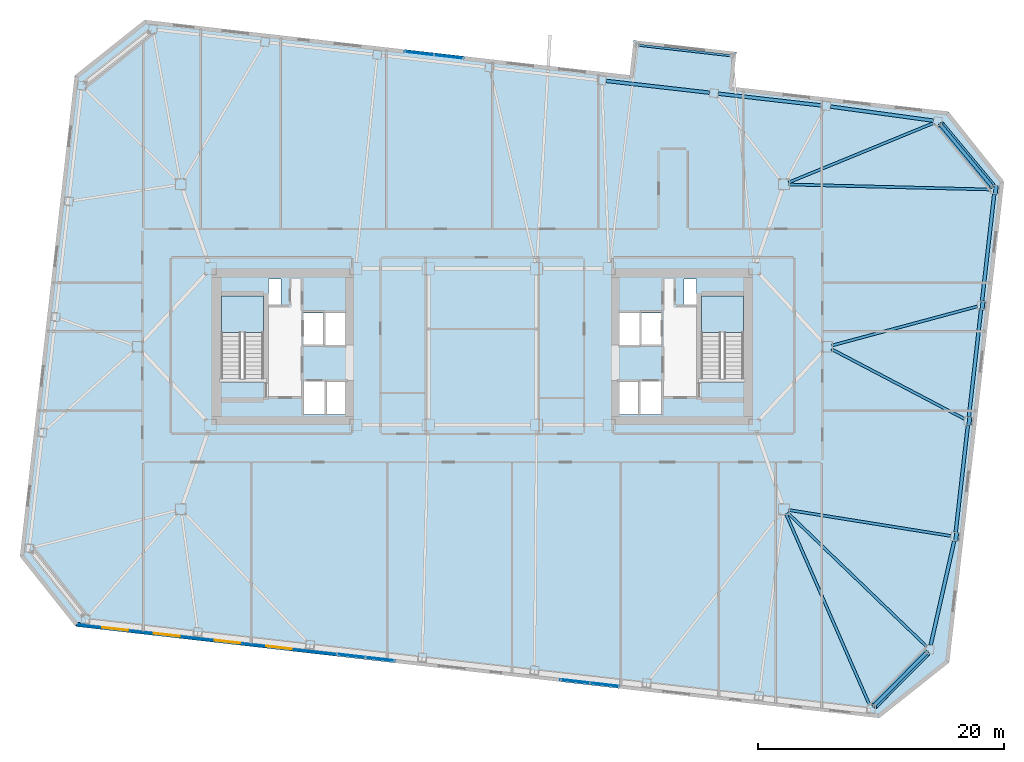
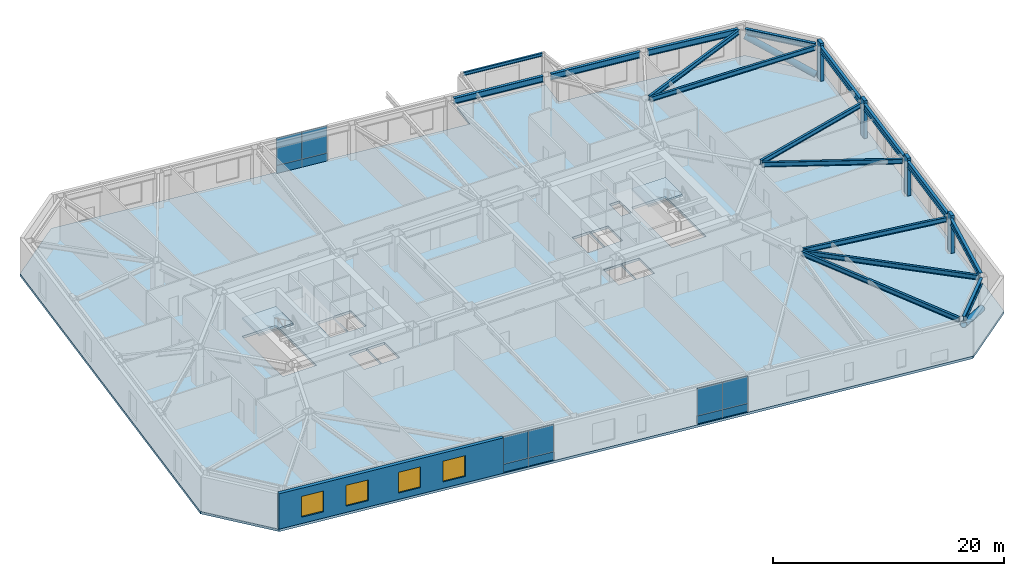
# One storey, part 11 of 21: 17 beams, 12 plates, 6 members, 4 windows, 3 slabs, 1 wall, 4 openings, 5 elements without a shape of their own.
"""IFC4 building model written with IfcOpenShell, lengths in metres."""

from ifc_helpers import new_model, si_unit, direction, frame, frame_2d, origin, origin_2d, place, context, subcontext, project, spatial, polyline, rectangle, hollow_circle, i_section, outline, extrude, material, layer, layer_set, material_profile, profile_set, type_object, element, fill, aggregate, save


model = new_model("IFC4")

# Units and contexts
model_context = context("Model", 3, precision=1e-05, world=origin(), true_north=direction((0.0, 1.0)))
body_context = subcontext(model_context, "Body", "Model", "MODEL_VIEW")
ifc_project = project(units=[si_unit("LENGTHUNIT", "METRE"), si_unit("AREAUNIT", "SQUARE_METRE"), si_unit("VOLUMEUNIT", "CUBIC_METRE"), si_unit("PLANEANGLEUNIT", "RADIAN"), si_unit("MASSUNIT", "GRAM", prefix="KILO")], contexts=[model_context])

# Site, building, storey
site_placement = place(None, origin())
site = spatial("IfcSite", under=ifc_project, at=site_placement, CompositionType="ELEMENT")
building_placement = place(site_placement, origin())
building = spatial("IfcBuilding", under=site, at=building_placement, Name="Tavrogorsk Clinical Tower", CompositionType="ELEMENT")
storey_placement = place(building_placement, frame((0.0, 0.0, 121.39990234375)))
storey = spatial("IfcBuildingStorey", under=building, at=storey_placement, Name="L27", CompositionType="ELEMENT", Elevation=121.39990234375)

# Members
ifc_material_1 = material(Name="Structural steel S440", Category="steel")
ifc_material_profile_1 = material_profile(ifc_material_1, hollow_circle(Radius=0.304931640625, WallThickness=0.02490234375, at=origin_2d()), Name="CHS-610x25")
ifc_profile_set_1 = profile_set([ifc_material_profile_1], Name="Structural steel S440")
member_type_1 = type_object("IfcMemberType", Name="ExoBrace_CHS610", PredefinedType="BRACE", material=ifc_profile_set_1)
member_1_placement = place(storey_placement, frame((36.1025390625, -24.82763671875, 0.4345703125), z_axis=(-0.651430241483, -0.659222469252, 0.375585378463), x_axis=(0.711298174517, -0.702890394677, 0.0)))
element("IfcMember", 1, at=member_1_placement, inside=storey, type_object=member_type_1, Name="L27 Corner Exoskeleton Brace S8-E1", PredefinedType="BRACE", context=body_context, shape_type="SweptSolid", body=[
    extrude(hollow_circle(Radius=0.304931640625, WallThickness=0.02490234375, at=origin_2d()), origin(), (0.0, 0.0, 1.0), 6.57958984375),
])
member_2_placement = place(storey_placement, frame((41.40771484375, 13.03076171875, 0.427001953125), z_axis=(-0.598616328588, 0.718269947263, 0.354607915882), x_axis=(-0.768190751014, -0.640221032189, 0.0)))
element("IfcMember", 2, at=member_2_placement, inside=storey, type_object=member_type_1, Name="L27 Corner Exoskeleton Brace E5-N1", PredefinedType="BRACE", context=body_context, shape_type="SweptSolid", body=[
    extrude(hollow_circle(Radius=0.304931640625, WallThickness=0.02490234375, at=origin_2d()), origin(), (0.0, 0.0, 1.0), 7.0107421875),
])

# Beams
ifc_material_2 = material(Name="Structural steel S355", Category="steel")
ifc_material_profile_2 = material_profile(ifc_material_2, i_section(OverallWidth=0.219970703125, OverallDepth=0.5, WebThickness=0.012939453125, FlangeThickness=0.02001953125, at=origin_2d()), Name="B-500x220x13x20")
ifc_profile_set_2 = profile_set([ifc_material_profile_2], Name="Structural steel S355")
beam_type_1 = type_object("IfcBeamType", Name="FloorBeam_B500", PredefinedType="BEAM", material=ifc_profile_set_2)
beam_1_placement = place(storey_placement, frame((24.664306640625, -13.57568359375, 3.489990234375), z_axis=(0.400586354613, -0.916259009504, 0.0), x_axis=(0.916259009504, 0.400586354613, 0.0)))
element("IfcBeam", 3, at=beam_1_placement, inside=storey, type_object=beam_type_1, Name="L27 Radial Floor Beam S8", PredefinedType="BEAM", context=body_context, shape_type="SweptSolid", body=[
    extrude(i_section(OverallWidth=0.219970703125, OverallDepth=0.5, WebThickness=0.012939453125, FlangeThickness=0.02001953125, at=origin_2d()), origin(), (0.0, 0.0, 1.0), 16.91357421875),
])
beam_2_placement = place(storey_placement, frame((24.87939453125, 13.35546875, 3.489990234375), z_axis=(0.925250223374, 0.379357383143, 0.0), x_axis=(-0.379357383143, 0.925250223374, 0.0)))
element("IfcBeam", 4, at=beam_2_placement, inside=storey, type_object=beam_type_1, Name="L27 Radial Floor Beam N1", PredefinedType="BEAM", context=body_context, shape_type="SweptSolid", body=[
    extrude(i_section(OverallWidth=0.219970703125, OverallDepth=0.5, WebThickness=0.012939453125, FlangeThickness=0.02001953125, at=origin_2d()), origin(), (0.0, 0.0, 1.0), 12.738037109375),
])
beam_3_placement = place(storey_placement, frame((24.79541015625, -13.484375, 3.489990234375), z_axis=(0.720494740362, -0.693460401977, 0.0), x_axis=(0.693460401977, 0.720494740362, 0.0)))
element("IfcBeam", 5, at=beam_3_placement, inside=storey, type_object=beam_type_1, Name="L27 Radial Floor Beam E1", PredefinedType="BEAM", context=body_context, shape_type="SweptSolid", body=[
    extrude(i_section(OverallWidth=0.219970703125, OverallDepth=0.5, WebThickness=0.012939453125, FlangeThickness=0.02001953125, at=origin_2d()), origin(), (0.0, 0.0, 1.0), 15.659423828125),
])
beam_4_placement = place(storey_placement, frame((24.90478515625, -13.2646484375, 3.489990234375), z_axis=(0.987456527754, -0.157891120067, 0.0), x_axis=(0.157891120067, 0.987456527754, 0.0)))
element("IfcBeam", 6, at=beam_4_placement, inside=storey, type_object=beam_type_1, Name="L27 Radial Floor Beam E2", PredefinedType="BEAM", context=body_context, shape_type="SweptSolid", body=[
    extrude(i_section(OverallWidth=0.219970703125, OverallDepth=0.5, WebThickness=0.012939453125, FlangeThickness=0.02001953125, at=origin_2d()), origin(), (0.0, 0.0, 1.0), 13.31787109375),
])
beam_5_placement = place(storey_placement, frame((28.363037109375, -0.1904296875, 3.489990234375), z_axis=(0.885467298335, -0.464701693111, 0.0), x_axis=(0.464701693111, 0.885467298335, 0.0)))
element("IfcBeam", 7, at=beam_5_placement, inside=storey, type_object=beam_type_1, Name="L27 Radial Floor Beam E3", PredefinedType="BEAM", context=body_context, shape_type="SweptSolid", body=[
    extrude(i_section(OverallWidth=0.219970703125, OverallDepth=0.5, WebThickness=0.012939453125, FlangeThickness=0.02001953125, at=origin_2d()), origin(), (0.0, 0.0, 1.0), 12.197021484375),
])
beam_6_placement = place(storey_placement, frame((28.39599609375, 0.1064453125, 3.489990234375), z_axis=(0.965705720144, 0.259639099677, 0.0), x_axis=(-0.259639099677, 0.965705720144, 0.0)))
element("IfcBeam", 8, at=beam_6_placement, inside=storey, type_object=beam_type_1, Name="L27 Radial Floor Beam E4", PredefinedType="BEAM", context=body_context, shape_type="SweptSolid", body=[
    extrude(i_section(OverallWidth=0.219970703125, OverallDepth=0.5, WebThickness=0.012939453125, FlangeThickness=0.02001953125, at=origin_2d()), origin(), (0.0, 0.0, 1.0), 12.228759765625),
])
beam_7_placement = place(storey_placement, frame((24.909912109375, 13.189697265625, 3.489990234375), z_axis=(0.999690121031, -0.024893009314, 0.0), x_axis=(0.024893009314, 0.999690121031, 0.0)))
element("IfcBeam", 9, at=beam_7_placement, inside=storey, type_object=beam_type_1, Name="L27 Radial Floor Beam E5", PredefinedType="BEAM", context=body_context, shape_type="SweptSolid", body=[
    extrude(i_section(OverallWidth=0.219970703125, OverallDepth=0.5, WebThickness=0.012939453125, FlangeThickness=0.02001953125, at=origin_2d()), origin(), (0.0, 0.0, 1.0), 16.359130859375),
])

# Members
ifc_material_3 = material(Name="Precast concrete B45 with limestone cladding", Category="masonry")
ifc_material_profile_3 = material_profile(ifc_material_3, rectangle(XDim=0.320068359375, YDim=0.719970703125, at=origin_2d()), Name="LIMESTONE-FIN-320x720")
ifc_profile_set_3 = profile_set([ifc_material_profile_3], Name="Precast concrete B45 with limestone cladding")
member_type_2 = type_object("IfcMemberType", Name="LimestonePleatFin_320x720", PredefinedType="USERDEFINED", material=ifc_profile_set_3)
for number, where, z_axis, x_axis, name in (
    (10, (38.48876953125, -15.432861328125, 0.0), (0.0, 0.0, 1.0), (0.993571855677, -0.113203213768, 0.0), "L27 E Pleated Stone Fin 1"),
    (11, (39.5595703125, -6.03369140625, 0.0), (0.0, 0.0, 1.0), (0.993571855677, -0.113203213768, 0.0), "L27 E Pleated Stone Fin 2"),
    (12, (40.63037109375, 3.365234375, 0.0), (0.0, 0.0, 1.0), (0.993571855677, -0.113203213768, 0.0), "L27 E Pleated Stone Fin 3"),
    (13, (41.701416015625, 12.7646484375, 0.0), (0.0, 0.0, 1.0), (0.993571855677, -0.113203213768, 0.0), "L27 E Pleated Stone Fin 4"),
):
    element("IfcMember", number, at=place(storey_placement, frame(where, z_axis=z_axis, x_axis=x_axis)), inside=storey, type_object=member_type_2, Name=name, ObjectType="FIN", PredefinedType="USERDEFINED", context=body_context, shape_type="SweptSolid", body=[
        extrude(rectangle(XDim=0.320068359375, YDim=0.719970703125, at=origin_2d()), origin(), (0.0, 0.0, 1.0), 4.0),
    ])

# Beams
ifc_material_4 = material(Name="Structural steel S355", Category="steel")
ifc_material_profile_4 = material_profile(ifc_material_4, i_section(OverallWidth=0.175048828125, OverallDepth=0.35009765625, WebThickness=0.009521484375, FlangeThickness=0.013916015625, at=origin_2d()), Name="B-350x175x9.5x14")
ifc_profile_set_4 = profile_set([ifc_material_profile_4], Name="Structural steel S355")
beam_type_2 = type_object("IfcBeamType", Name="SecondaryJoist_B350", PredefinedType="JOIST", material=ifc_profile_set_4)
beam_8_placement = place(storey_placement, frame((12.713623046875, 24.50146484375, 3.565185546875), z_axis=(0.993572168801, -0.113200465477, 0.0), x_axis=(0.113200465477, 0.993572168801, 0.0)))
element("IfcBeam", 14, at=beam_8_placement, inside=storey, type_object=beam_type_2, Name="L27 Day-Room Front Edge Beam DRB-04", PredefinedType="JOIST", context=body_context, shape_type="SweptSolid", body=[
    extrude(i_section(OverallWidth=0.175048828125, OverallDepth=0.35009765625, WebThickness=0.009521484375, FlangeThickness=0.013916015625, at=origin_2d()), origin(), (0.0, 0.0, 1.0), 7.4599609375),
])
ifc_material_5 = material(Name="Structural steel S390", Category="steel")
ifc_material_profile_5 = material_profile(ifc_material_5, i_section(OverallWidth=0.280029296875, OverallDepth=0.64990234375, WebThickness=0.01611328125, FlangeThickness=0.02490234375, at=origin_2d()), Name="B-650x280x16x25")
ifc_profile_set_5 = profile_set([ifc_material_profile_5], Name="Structural steel S390")
beam_type_3 = type_object("IfcBeamType", Name="SpandrelBeam_B650", PredefinedType="SPANDREL", material=ifc_profile_set_5)
beam_9_placement = place(storey_placement, frame((31.834716796875, -29.146240234375, 3.4150390625), z_axis=(0.702934929184, 0.711254163667, 0.0), x_axis=(-0.711254163667, 0.702934929184, 0.0)))
element("IfcBeam", 15, at=beam_9_placement, inside=storey, type_object=beam_type_3, Name="L27 Perimeter Spandrel S8-E1", PredefinedType="SPANDREL", context=body_context, shape_type="SweptSolid", body=[
    extrude(i_section(OverallWidth=0.280029296875, OverallDepth=0.64990234375, WebThickness=0.01611328125, FlangeThickness=0.02490234375, at=origin_2d()), origin(), (0.0, 0.0, 1.0), 6.04541015625),
])
beam_10_placement = place(storey_placement, frame((36.414794921875, -24.242431640625, 3.4150390625), z_axis=(0.220602599501, 0.975363774749, 0.0), x_axis=(-0.975363774749, 0.220602599501, 0.0)))
element("IfcBeam", 16, at=beam_10_placement, inside=storey, type_object=beam_type_3, Name="L27 Perimeter Spandrel E1-E2", PredefinedType="SPANDREL", context=body_context, shape_type="SweptSolid", body=[
    extrude(i_section(OverallWidth=0.280029296875, OverallDepth=0.64990234375, WebThickness=0.01611328125, FlangeThickness=0.02490234375, at=origin_2d()), origin(), (0.0, 0.0, 1.0), 8.68310546875),
])
for number, where, z_axis, x_axis, name in (
    (17, (38.44970703125, -15.068115234375, 3.4150390625), (0.113192226434, 0.993573107464, 0.0), (-0.993573107464, 0.113192226434, 0.0), "L27 Perimeter Spandrel E2-E3"),
    (18, (39.520751953125, -5.6689453125, 3.4150390625), (0.113192226434, 0.993573107464, 0.0), (-0.993573107464, 0.113192226434, 0.0), "L27 Perimeter Spandrel E3-E4"),
):
    element("IfcBeam", number, at=place(storey_placement, frame(where, z_axis=z_axis, x_axis=x_axis)), inside=storey, type_object=beam_type_3, Name=name, PredefinedType="SPANDREL", context=body_context, shape_type="SweptSolid", body=[
        extrude(i_section(OverallWidth=0.280029296875, OverallDepth=0.64990234375, WebThickness=0.01611328125, FlangeThickness=0.02490234375, at=origin_2d()), origin(), (0.0, 0.0, 1.0), 8.743896484375),
    ])
beam_11_placement = place(storey_placement, frame((40.591552734375, 3.72998046875, 3.4150390625), z_axis=(0.113189086379, 0.993573465188, 0.0), x_axis=(-0.993573465188, 0.113189086379, 0.0)))
element("IfcBeam", 19, at=beam_11_placement, inside=storey, type_object=beam_type_3, Name="L27 Perimeter Spandrel E4-E5", PredefinedType="SPANDREL", context=body_context, shape_type="SweptSolid", body=[
    extrude(i_section(OverallWidth=0.280029296875, OverallDepth=0.64990234375, WebThickness=0.01611328125, FlangeThickness=0.02490234375, at=origin_2d()), origin(), (0.0, 0.0, 1.0), 8.744140625),
])
beam_12_placement = place(storey_placement, frame((41.392578125, 13.048583984375, 3.4150390625), z_axis=(-0.640191778751, 0.768215130299, 0.0), x_axis=(-0.768215130299, -0.640191778751, 0.0)))
element("IfcBeam", 20, at=beam_12_placement, inside=storey, type_object=beam_type_3, Name="L27 Perimeter Spandrel E5-N1", PredefinedType="SPANDREL", context=body_context, shape_type="SweptSolid", body=[
    extrude(i_section(OverallWidth=0.280029296875, OverallDepth=0.64990234375, WebThickness=0.01611328125, FlangeThickness=0.02490234375, at=origin_2d()), origin(), (0.0, 0.0, 1.0), 6.508544921875),
])
beam_13_placement = place(storey_placement, frame((36.641845703125, 18.3720703125, 3.4150390625), z_axis=(-0.990722121657, 0.135903192232, 0.0), x_axis=(-0.135903192232, -0.990722121657, 0.0)))
element("IfcBeam", 21, at=beam_13_placement, inside=storey, type_object=beam_type_3, Name="L27 Perimeter Spandrel N1-N2", PredefinedType="SPANDREL", context=body_context, shape_type="SweptSolid", body=[
    extrude(i_section(OverallWidth=0.280029296875, OverallDepth=0.64990234375, WebThickness=0.01611328125, FlangeThickness=0.02490234375, at=origin_2d()), origin(), (0.0, 0.0, 1.0), 8.439697265625),
])
beam_14_placement = place(storey_placement, frame((27.5703125, 19.608154296875, 3.4150390625), z_axis=(-0.993569819641, 0.113221082395, 0.0), x_axis=(-0.113221082395, -0.993569819641, 0.0)))
element("IfcBeam", 22, at=beam_14_placement, inside=storey, type_object=beam_type_3, Name="L27 Perimeter Spandrel N2-N3", PredefinedType="SPANDREL", context=body_context, shape_type="SweptSolid", body=[
    extrude(i_section(OverallWidth=0.280029296875, OverallDepth=0.64990234375, WebThickness=0.01611328125, FlangeThickness=0.02490234375, at=origin_2d()), origin(), (0.0, 0.0, 1.0), 8.46142578125),
])
beam_15_placement = place(storey_placement, frame((18.451904296875, 20.647216796875, 3.4150390625), z_axis=(-0.99357232562, 0.113199089054, 0.0), x_axis=(-0.113199089054, -0.99357232562, 0.0)))
element("IfcBeam", 23, at=beam_15_placement, inside=storey, type_object=beam_type_3, Name="L27 Perimeter Spandrel N3-N4", PredefinedType="SPANDREL", context=body_context, shape_type="SweptSolid", body=[
    extrude(i_section(OverallWidth=0.280029296875, OverallDepth=0.64990234375, WebThickness=0.01611328125, FlangeThickness=0.02490234375, at=origin_2d()), origin(), (0.0, 0.0, 1.0), 8.4609375),
])

# Curtain wall, plates
ifc_material_6 = material(Name="Anodised aluminium and triple IGU glazing", Category="aluminium")
ifc_layer_1 = layer(ifc_material_6, 0.179931640625)
ifc_layer_set_1 = layer_set([ifc_layer_1], Name="Anodised aluminium and triple IGU glazing")
curtain_wall_type_1 = type_object("IfcCurtainWallType", Name="CW3_SouthSlot", PredefinedType="NOTDEFINED", material=ifc_layer_set_1)
curtain_wall_1_placement = place(storey_placement, origin())
curtain_wall_1 = element("IfcCurtainWall", 24, at=curtain_wall_1_placement, inside=storey, type_object=curtain_wall_type_1, Name="L27 Curtain Wall CW-L27-S-SLOT-1", PredefinedType="NOTDEFINED")
ifc_material_7 = material(Name="Honed Podolsk limestone spandrel panel", Category="masonry")
ifc_layer_2 = layer(ifc_material_7, 0.080078125)
ifc_layer_set_2 = layer_set([ifc_layer_2], Name="Honed Podolsk limestone spandrel panel")
plate_type_1 = type_object("IfcPlateType", Name="CwSpandrelStonePanel_80", PredefinedType="CURTAIN_PANEL", material=ifc_layer_set_2)
plate_1_placement = place(storey_placement, frame((-10.70654296875, -25.095947265625, 0.002197265625), z_axis=(0.0, 0.0, 1.0), x_axis=(0.993571855603, -0.11320321441, 0.0)))
plate_1 = element("IfcPlate", 25, at=plate_1_placement, type_object=plate_type_1, Name="CW-L27-S-SLOT-1 Stone Spandrel Panel 1", PredefinedType="CURTAIN_PANEL", context=body_context, shape_type="SweptSolid", body=[
    extrude(rectangle(XDim=2.39208984375, YDim=0.080078125, at=origin_2d()), origin(), (0.0, 0.0, 1.0), 0.8359375),
])
plate_2_placement = place(storey_placement, frame((-8.30615234375, -25.36962890625, 0.002197265625), z_axis=(0.0, 0.0, 1.0), x_axis=(0.993571855603, -0.11320321441, 0.0)))
plate_2 = element("IfcPlate", 26, at=plate_2_placement, type_object=plate_type_1, Name="CW-L27-S-SLOT-1 Stone Spandrel Panel 2", PredefinedType="CURTAIN_PANEL", context=body_context, shape_type="SweptSolid", body=[
    extrude(rectangle(XDim=2.39208984375, YDim=0.080078125, at=origin_2d()), origin(), (0.0, 0.0, 1.0), 0.8359375),
])

curtain_wall_2_placement = place(storey_placement, origin())
curtain_wall_2 = element("IfcCurtainWall", 27, at=curtain_wall_2_placement, inside=storey, type_object=curtain_wall_type_1, Name="L27 Curtain Wall CW-L27-S-SLOT-2", PredefinedType="NOTDEFINED")
plate_3_placement = place(storey_placement, frame((7.52978515625, -27.173828125, 0.002197265625), z_axis=(0.0, 0.0, 1.0), x_axis=(0.993571858269, -0.113203191016, 0.0)))
plate_3 = element("IfcPlate", 28, at=plate_3_placement, type_object=plate_type_1, Name="CW-L27-S-SLOT-2 Stone Spandrel Panel 1", PredefinedType="CURTAIN_PANEL", context=body_context, shape_type="SweptSolid", body=[
    extrude(rectangle(XDim=2.39208984375, YDim=0.080078125, at=origin_2d()), origin(), (0.0, 0.0, 1.0), 0.8359375),
])
plate_4_placement = place(storey_placement, frame((9.93017578125, -27.447265625, 0.002197265625), z_axis=(0.0, 0.0, 1.0), x_axis=(0.993571858269, -0.113203191016, 0.0)))
plate_4 = element("IfcPlate", 29, at=plate_4_placement, type_object=plate_type_1, Name="CW-L27-S-SLOT-2 Stone Spandrel Panel 2", PredefinedType="CURTAIN_PANEL", context=body_context, shape_type="SweptSolid", body=[
    extrude(rectangle(XDim=2.39208984375, YDim=0.080078125, at=origin_2d()), origin(), (0.0, 0.0, 1.0), 0.8359375),
])

ifc_material_8 = material(Name="Anodised aluminium and triple IGU glazing", Category="aluminium")
ifc_layer_3 = layer(ifc_material_8, 0.179931640625)
ifc_layer_set_3 = layer_set([ifc_layer_3], Name="Anodised aluminium and triple IGU glazing")
curtain_wall_type_2 = type_object("IfcCurtainWallType", Name="CW2_NorthSlot", PredefinedType="NOTDEFINED", material=ifc_layer_set_3)
curtain_wall_3_placement = place(storey_placement, origin())
curtain_wall_3 = element("IfcCurtainWall", 30, at=curtain_wall_3_placement, inside=storey, type_object=curtain_wall_type_2, Name="L27 Curtain Wall CW-L27-N-SLOT-1", PredefinedType="NOTDEFINED")
plate_5_placement = place(storey_placement, frame((-2.729736328125, 23.57373046875, 0.002197265625), z_axis=(0.0, 0.0, 1.0), x_axis=(-0.993571858269, 0.113203191016, 0.0)))
plate_5 = element("IfcPlate", 31, at=plate_5_placement, type_object=plate_type_1, Name="CW-L27-N-SLOT-1 Stone Spandrel Panel 1", PredefinedType="CURTAIN_PANEL", context=body_context, shape_type="SweptSolid", body=[
    extrude(rectangle(XDim=2.39208984375, YDim=0.080078125, at=origin_2d()), origin(), (0.0, 0.0, 1.0), 0.8359375),
])
plate_6_placement = place(storey_placement, frame((-5.130126953125, 23.847412109375, 0.002197265625), z_axis=(0.0, 0.0, 1.0), x_axis=(-0.993571858269, 0.113203191016, 0.0)))
plate_6 = element("IfcPlate", 32, at=plate_6_placement, type_object=plate_type_1, Name="CW-L27-N-SLOT-1 Stone Spandrel Panel 2", PredefinedType="CURTAIN_PANEL", context=body_context, shape_type="SweptSolid", body=[
    extrude(rectangle(XDim=2.39208984375, YDim=0.080078125, at=origin_2d()), origin(), (0.0, 0.0, 1.0), 0.8359375),
])

# Plate
ifc_material_9 = material(Name="Triple low-E argon insulated glass", Category="glass")
ifc_layer_4 = layer(ifc_material_9, 0.048095703125)
ifc_layer_set_4 = layer_set([ifc_layer_4], Name="Triple low-E argon insulated glass")
plate_type_2 = type_object("IfcPlateType", Name="CwVisionGlassPanel_48", PredefinedType="CURTAIN_PANEL", material=ifc_layer_set_4)
plate_7_placement = place(storey_placement, frame((-10.70654296875, -25.095947265625, 0.862060546875), z_axis=(0.0, 0.0, 1.0), x_axis=(0.993571855603, -0.11320321441, 0.0)))
plate_7 = element("IfcPlate", 33, at=plate_7_placement, type_object=plate_type_2, Name="CW-L27-S-SLOT-1 Glazing Panel 1", PredefinedType="CURTAIN_PANEL", context=body_context, shape_type="SweptSolid", body=[
    extrude(rectangle(XDim=2.39208984375, YDim=0.048095703125, at=origin_2d()), origin(), (0.0, 0.0, 1.0), 2.8759765625),
])

plate_8_placement = place(storey_placement, frame((-8.30615234375, -25.36962890625, 0.862060546875), z_axis=(0.0, 0.0, 1.0), x_axis=(0.993571855603, -0.11320321441, 0.0)))
plate_8 = element("IfcPlate", 34, at=plate_8_placement, type_object=plate_type_2, Name="CW-L27-S-SLOT-1 Glazing Panel 2", PredefinedType="CURTAIN_PANEL", context=body_context, shape_type="SweptSolid", body=[
    extrude(rectangle(XDim=2.39208984375, YDim=0.048095703125, at=origin_2d()), origin(), (0.0, 0.0, 1.0), 2.8759765625),
])

aggregate(curtain_wall_1, [plate_1, plate_7, plate_2, plate_8])

plate_9_placement = place(storey_placement, frame((7.52978515625, -27.173828125, 0.862060546875), z_axis=(0.0, 0.0, 1.0), x_axis=(0.993571858269, -0.113203191016, 0.0)))
plate_9 = element("IfcPlate", 35, at=plate_9_placement, type_object=plate_type_2, Name="CW-L27-S-SLOT-2 Glazing Panel 1", PredefinedType="CURTAIN_PANEL", context=body_context, shape_type="SweptSolid", body=[
    extrude(rectangle(XDim=2.39208984375, YDim=0.048095703125, at=origin_2d()), origin(), (0.0, 0.0, 1.0), 2.8759765625),
])

plate_10_placement = place(storey_placement, frame((9.93017578125, -27.447265625, 0.862060546875), z_axis=(0.0, 0.0, 1.0), x_axis=(0.993571858269, -0.113203191016, 0.0)))
plate_10 = element("IfcPlate", 36, at=plate_10_placement, type_object=plate_type_2, Name="CW-L27-S-SLOT-2 Glazing Panel 2", PredefinedType="CURTAIN_PANEL", context=body_context, shape_type="SweptSolid", body=[
    extrude(rectangle(XDim=2.39208984375, YDim=0.048095703125, at=origin_2d()), origin(), (0.0, 0.0, 1.0), 2.8759765625),
])

aggregate(curtain_wall_2, [plate_3, plate_9, plate_4, plate_10])

plate_11_placement = place(storey_placement, frame((-2.729736328125, 23.57373046875, 0.862060546875), z_axis=(0.0, 0.0, 1.0), x_axis=(-0.993571858269, 0.113203191016, 0.0)))
plate_11 = element("IfcPlate", 37, at=plate_11_placement, type_object=plate_type_2, Name="CW-L27-N-SLOT-1 Glazing Panel 1", PredefinedType="CURTAIN_PANEL", context=body_context, shape_type="SweptSolid", body=[
    extrude(rectangle(XDim=2.39208984375, YDim=0.048095703125, at=origin_2d()), origin(), (0.0, 0.0, 1.0), 2.8759765625),
])

plate_12_placement = place(storey_placement, frame((-5.130126953125, 23.847412109375, 0.862060546875), z_axis=(0.0, 0.0, 1.0), x_axis=(-0.993571858269, 0.113203191016, 0.0)))
plate_12 = element("IfcPlate", 38, at=plate_12_placement, type_object=plate_type_2, Name="CW-L27-N-SLOT-1 Glazing Panel 2", PredefinedType="CURTAIN_PANEL", context=body_context, shape_type="SweptSolid", body=[
    extrude(rectangle(XDim=2.39208984375, YDim=0.048095703125, at=origin_2d()), origin(), (0.0, 0.0, 1.0), 2.8759765625),
])

aggregate(curtain_wall_3, [plate_5, plate_11, plate_6, plate_12])

# Stair, slab
ifc_material_10 = material(Name="Concrete B60", Category="concrete")
stair_type = type_object("IfcStairType", Name="CoreStairAssembly", PredefinedType="HALF_TURN_STAIR", material=ifc_material_10)
stair_1_placement = place(storey_placement, origin())
stair_1 = element("IfcStair", 39, at=stair_1_placement, inside=storey, type_object=stair_type, Name="L27 ST-W", PredefinedType="HALF_TURN_STAIR")
ifc_material_11 = material(Name="Concrete B60", Category="concrete")
ifc_layer_5 = layer(ifc_material_11, 0.199951171875)
ifc_layer_set_5 = layer_set([ifc_layer_5], Name="Concrete B60")
slab_type_1 = type_object("IfcSlabType", Name="StairLanding_200", PredefinedType="LANDING", material=ifc_layer_set_5)
slab_1_placement = place(storey_placement, frame((0.0, 0.0, 1.800048828125)))
slab_1 = element("IfcSlab", 40, at=slab_1_placement, type_object=slab_type_1, Name="ST-W landing 1", PredefinedType="LANDING", context=body_context, shape_type="SweptSolid", body=[
    extrude(outline(polyline([(-17.800048828125, 1.1650390625), (-17.800048828125, 4.125), (-21.199951171875, 4.125), (-21.199951171875, 1.1650390625), (-17.800048828125, 1.1650390625)])), origin(), (0.0, 0.0, 1.0), 0.199951171875),
])
aggregate(stair_1, [slab_1])

stair_2_placement = place(storey_placement, origin())
stair_2 = element("IfcStair", 41, at=stair_2_placement, inside=storey, type_object=stair_type, Name="L27 ST-E", PredefinedType="HALF_TURN_STAIR")
slab_2_placement = place(storey_placement, frame((0.0, 0.0, 1.800048828125)))
slab_2 = element("IfcSlab", 42, at=slab_2_placement, type_object=slab_type_1, Name="ST-E landing 1", PredefinedType="LANDING", context=body_context, shape_type="SweptSolid", body=[
    extrude(outline(polyline([(21.199951171875, 1.1650390625), (21.199951171875, 4.125), (17.800048828125, 4.125), (17.800048828125, 1.1650390625), (21.199951171875, 1.1650390625)])), origin(), (0.0, 0.0, 1.0), 0.199951171875),
])
aggregate(stair_2, [slab_2])

# Slab
ifc_material_12 = material(Name="Concrete B60", Category="concrete")
ifc_layer_6 = layer(ifc_material_12, 0.260009765625)
ifc_layer_set_6 = layer_set([ifc_layer_6], Name="Concrete B60")
slab_type_2 = type_object("IfcSlabType", Name="WardSlab_260", PredefinedType="FLOOR", material=ifc_layer_set_6)
slab_3_placement = place(storey_placement, frame((0.0, 0.0, -0.260009765625)))
element("IfcSlab", 43, at=slab_3_placement, inside=storey, type_object=slab_type_2, Name="L27 Structural Slab", PredefinedType="FLOOR", context=body_context, shape_type="SweptSolid", body=[
    extrude(outline(polyline([(37.796630859375, 19.12744140625), (42.37451171875, 13.372314453125), (37.93701171875, -25.57568359375), (32.181640625, -30.153564453125), (-32.99658203125, -22.7275390625), (-37.574462890625, -16.972412109375), (-33.136962890625, 21.9755859375), (-27.381591796875, 26.5537109375), (11.963623046875, 22.07080078125), (12.286376953125, 24.902587890625), (20.63232421875, 23.95166015625), (20.309814453125, 21.119873046875), (37.796630859375, 19.12744140625)]), holes=[polyline([(-17.800048828125, -2.8798828125), (-17.800048828125, 4.125), (-21.199951171875, 4.125), (-21.199951171875, -2.8798828125), (-17.800048828125, -2.8798828125)]), polyline([(21.199951171875, -2.8798828125), (21.199951171875, 4.125), (17.800048828125, 4.125), (17.800048828125, -2.8798828125), (21.199951171875, -2.8798828125)]), polyline([(-14.6201171875, 0.169921875), (-12.860107421875, 0.169921875), (-12.860107421875, 2.72998046875), (-14.6201171875, 2.72998046875), (-14.6201171875, 0.169921875)]), polyline([(-14.530029296875, -5.47998046875), (-12.77001953125, -5.47998046875), (-12.77001953125, -2.820068359375), (-14.530029296875, -2.820068359375), (-14.530029296875, -5.47998046875)]), polyline([(-12.72998046875, -5.47998046875), (-10.969970703125, -5.47998046875), (-10.969970703125, -2.820068359375), (-12.72998046875, -2.820068359375), (-12.72998046875, -5.47998046875)]), polyline([(-12.840087890625, 0.1201171875), (-11.080078125, 0.1201171875), (-11.080078125, 2.780029296875), (-12.840087890625, 2.780029296875), (-12.840087890625, 0.1201171875)]), polyline([(12.860107421875, 0.169921875), (14.6201171875, 0.169921875), (14.6201171875, 2.72998046875), (12.860107421875, 2.72998046875), (12.860107421875, 0.169921875)]), polyline([(12.77001953125, -5.47998046875), (14.530029296875, -5.47998046875), (14.530029296875, -2.820068359375), (12.77001953125, -2.820068359375), (12.77001953125, -5.47998046875)]), polyline([(10.969970703125, -5.47998046875), (12.72998046875, -5.47998046875), (12.72998046875, -2.820068359375), (10.969970703125, -2.820068359375), (10.969970703125, -5.47998046875)]), polyline([(11.080078125, 0.1201171875), (12.840087890625, 0.1201171875), (12.840087890625, 2.780029296875), (11.080078125, 2.780029296875), (11.080078125, 0.1201171875)]), polyline([(-17.3798828125, 3.449951171875), (-16.3798828125, 3.449951171875), (-16.3798828125, 5.5), (-17.3798828125, 5.5), (-17.3798828125, 3.449951171875)]), polyline([(16.3798828125, 3.449951171875), (17.3798828125, 3.449951171875), (17.3798828125, 5.5), (16.3798828125, 5.5), (16.3798828125, 3.449951171875)])]), origin(), (0.0, 0.0, 1.0), 0.260009765625),
])

# Wall, openings, windows
ifc_material_13 = material(Name="Precast concrete B45 with limestone cladding", Category="masonry")
ifc_layer_7 = layer(ifc_material_13, 0.340087890625)
ifc_layer_set_7 = layer_set([ifc_layer_7], Name="Precast concrete B45 with limestone cladding")
wall_type = type_object("IfcWallType", Name="PrecastLimestoneWall_340", PredefinedType="STANDARD", material=ifc_layer_set_7)
wall_placement = place(storey_placement, frame((-32.977294921875, -22.55859375, 0.0), z_axis=(0.0, 0.0, 1.0), x_axis=(0.993571214605, -0.113208840243, 0.0)))
wall = element("IfcWall", 44, at=wall_placement, inside=storey, type_object=wall_type, Name="L27 S Limestone Facade Wall 1", PredefinedType="STANDARD", context=body_context, shape_type="SweptSolid", body=[
    extrude(rectangle(XDim=21.22265625, YDim=0.340087890625, at=frame_2d((10.611328125, 0.0))), origin(), (0.0, 0.0, 1.0), 3.739990234375),
])
opening_1_placement = place(wall_placement, frame((2.10791015625, 0.0, 0.669921875)))
opening_1 = element("IfcOpeningElement", 45, at=opening_1_placement, cuts=wall, Name="Opening WN-03", PredefinedType="OPENING", context=body_context, shape_type="SweptSolid", body=[
    extrude(rectangle(XDim=2.10009765625, YDim=2.199951171875, at=frame_2d((1.050048828125, 1.10009765625))), frame((0.0, 0.179931640625, 0.0), z_axis=(0.0, -1.0, 0.0), x_axis=(1.0, 0.0, 0.0)), (0.0, 0.0, 1.0), 0.360107421875),
])
opening_2_placement = place(wall_placement, frame((6.329345703125, 0.0, 0.669921875)))
opening_2 = element("IfcOpeningElement", 46, at=opening_2_placement, cuts=wall, Name="Opening WN-03", PredefinedType="OPENING", context=body_context, shape_type="SweptSolid", body=[
    extrude(rectangle(XDim=2.10009765625, YDim=2.199951171875, at=frame_2d((1.050048828125, 1.10009765625))), frame((0.0, 0.179931640625, 0.0), z_axis=(0.0, -1.0, 0.0), x_axis=(1.0, 0.0, 0.0)), (0.0, 0.0, 1.0), 0.360107421875),
])
opening_3_placement = place(wall_placement, frame((11.284912109375, 0.0, 0.669921875)))
opening_3 = element("IfcOpeningElement", 47, at=opening_3_placement, cuts=wall, Name="Opening WN-03", PredefinedType="OPENING", context=body_context, shape_type="SweptSolid", body=[
    extrude(rectangle(XDim=2.10009765625, YDim=2.199951171875, at=frame_2d((1.050048828125, 1.10009765625))), frame((0.0, 0.179931640625, 0.0), z_axis=(0.0, -1.0, 0.0), x_axis=(1.0, 0.0, 0.0)), (0.0, 0.0, 1.0), 0.360107421875),
])
opening_4_placement = place(wall_placement, frame((15.50634765625, 0.0, 0.669921875)))
opening_4 = element("IfcOpeningElement", 48, at=opening_4_placement, cuts=wall, Name="Opening WN-03", PredefinedType="OPENING", context=body_context, shape_type="SweptSolid", body=[
    extrude(rectangle(XDim=2.10009765625, YDim=2.199951171875, at=frame_2d((1.050048828125, 1.10009765625))), frame((0.0, 0.179931640625, 0.0), z_axis=(0.0, -1.0, 0.0), x_axis=(1.0, 0.0, 0.0)), (0.0, 0.0, 1.0), 0.360107421875),
])
ifc_material_14 = material(Name="Thermally broken aluminium frame and triple IGU", Category="aluminium")
window_type = type_object("IfcWindowType", Name="PatientTwinWin_2100x2200", PartitioningType="DOUBLE_PANEL_VERTICAL", PredefinedType="WINDOW", material=ifc_material_14)
window_1_placement = place(opening_1_placement, origin())
window_1 = element("IfcWindow", 49, at=window_1_placement, inside=storey, type_object=window_type, Name="L27 S Chicago Window 01", OverallHeight=2.199951171875, OverallWidth=2.10009765625, PartitioningType="SINGLE_PANEL", PredefinedType="WINDOW", context=body_context, shape_type="SweptSolid", body=[
    extrude(rectangle(XDim=2.10009765625, YDim=2.199951171875, at=frame_2d((1.050048828125, 1.10009765625))), frame((0.0, 0.030029296875, 0.0), z_axis=(0.0, -1.0, 0.0), x_axis=(1.0, 0.0, 0.0)), (0.0, 0.0, 1.0), 0.06005859375),
])
fill(opening_1, window_1)
window_2_placement = place(opening_2_placement, origin())
window_2 = element("IfcWindow", 50, at=window_2_placement, inside=storey, type_object=window_type, Name="L27 S Chicago Window 02", OverallHeight=2.199951171875, OverallWidth=2.10009765625, PartitioningType="SINGLE_PANEL", PredefinedType="WINDOW", context=body_context, shape_type="SweptSolid", body=[
    extrude(rectangle(XDim=2.10009765625, YDim=2.199951171875, at=frame_2d((1.050048828125, 1.10009765625))), frame((0.0, 0.030029296875, 0.0), z_axis=(0.0, -1.0, 0.0), x_axis=(1.0, 0.0, 0.0)), (0.0, 0.0, 1.0), 0.06005859375),
])
fill(opening_2, window_2)
window_3_placement = place(opening_3_placement, origin())
window_3 = element("IfcWindow", 51, at=window_3_placement, inside=storey, type_object=window_type, Name="L27 S Chicago Window 03", OverallHeight=2.199951171875, OverallWidth=2.10009765625, PartitioningType="SINGLE_PANEL", PredefinedType="WINDOW", context=body_context, shape_type="SweptSolid", body=[
    extrude(rectangle(XDim=2.10009765625, YDim=2.199951171875, at=frame_2d((1.050048828125, 1.10009765625))), frame((0.0, 0.030029296875, 0.0), z_axis=(0.0, -1.0, 0.0), x_axis=(1.0, 0.0, 0.0)), (0.0, 0.0, 1.0), 0.06005859375),
])
fill(opening_3, window_3)
window_4_placement = place(opening_4_placement, origin())
window_4 = element("IfcWindow", 52, at=window_4_placement, inside=storey, type_object=window_type, Name="L27 S Chicago Window 04", OverallHeight=2.199951171875, OverallWidth=2.10009765625, PartitioningType="SINGLE_PANEL", PredefinedType="WINDOW", context=body_context, shape_type="SweptSolid", body=[
    extrude(rectangle(XDim=2.10009765625, YDim=2.199951171875, at=frame_2d((1.050048828125, 1.10009765625))), frame((0.0, 0.030029296875, 0.0), z_axis=(0.0, -1.0, 0.0), x_axis=(1.0, 0.0, 0.0)), (0.0, 0.0, 1.0), 0.06005859375),
])
fill(opening_4, window_4)

save(model, "model.ifc")
